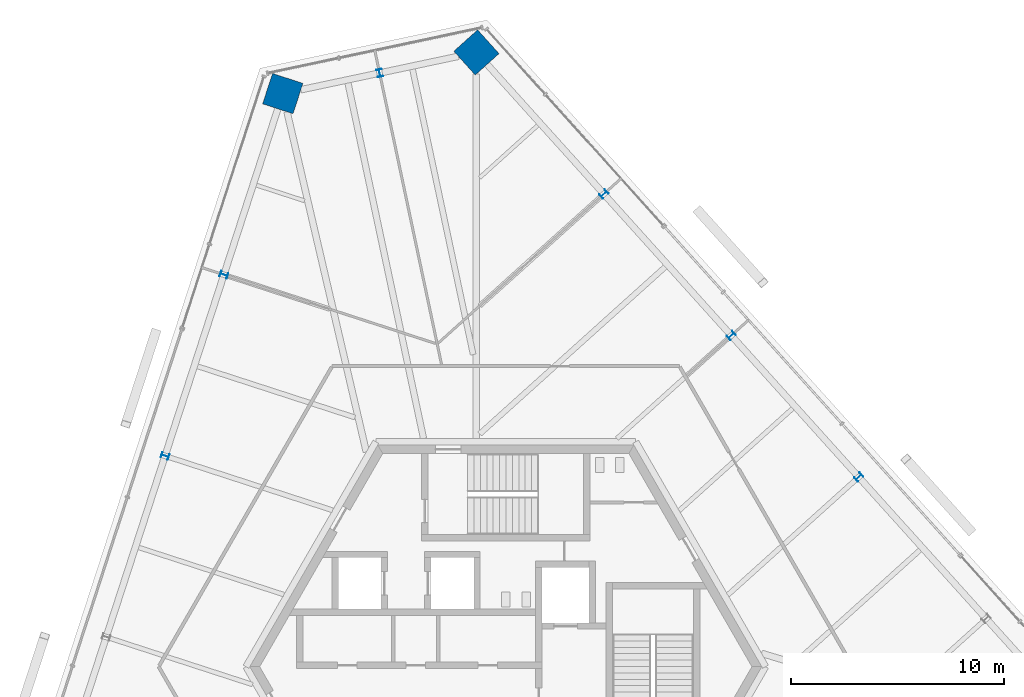
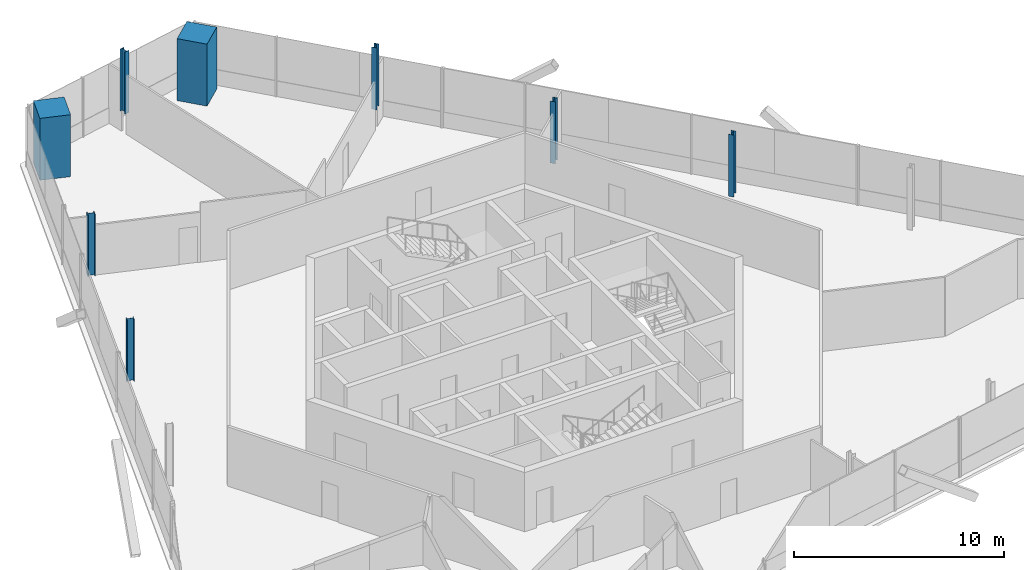
# One storey, part 3 of 15: 8 columns.
"""IFC4 building model written with IfcOpenShell, lengths in metres."""

from ifc_helpers import new_model, si_unit, direction, frame, origin, origin_2d, place, context, subcontext, project, spatial, rectangle, i_section, extrude, source, transform, mapped, material, material_profile, profile_set, type_object, element, save


model = new_model("IFC4")

# Units and contexts
model_context = context("Model", 3, precision=1e-05, world=origin(), true_north=direction((0.0, 1.0)))
body_context = subcontext(model_context, "Body", "Model", "MODEL_VIEW")
ifc_project = project(units=[si_unit("LENGTHUNIT", "METRE"), si_unit("AREAUNIT", "SQUARE_METRE"), si_unit("VOLUMEUNIT", "CUBIC_METRE"), si_unit("PLANEANGLEUNIT", "RADIAN"), si_unit("MASSUNIT", "GRAM", prefix="KILO")], contexts=[model_context])

# Site, building, storey
site_placement = place(None, origin())
site = spatial("IfcSite", under=ifc_project, at=site_placement, CompositionType="ELEMENT")
building_placement = place(site_placement, origin())
building = spatial("IfcBuilding", under=site, at=building_placement, Name="Triune Harvest Tower", CompositionType="ELEMENT")
storey_placement = place(building_placement, frame((0.0, 0.0, 270.300048828125)))
storey = spatial("IfcBuildingStorey", under=building, at=storey_placement, Name="L71", CompositionType="ELEMENT", Elevation=270.300048828125)

# Columns
ifc_material_1 = material(Name="Concrete 70 MPa", Category="concrete")
ifc_material_profile_1 = material_profile(ifc_material_1, rectangle(XDim=1.5, YDim=1.5, at=origin_2d()), Name="Composite 1500x1500")
ifc_profile_set_1 = profile_set([ifc_material_profile_1], Name="Concrete 70 MPa")
column_type_1 = type_object("IfcColumnType", Name="MC-7 Mega column Composite 1500x1500", PredefinedType="COLUMN", material=ifc_profile_set_1)
shared_shape_1 = source(origin(), body_context, "Body", "SweptSolid", [
    extrude(rectangle(XDim=1.5, YDim=1.5, at=origin_2d()), origin(), (0.0, 0.0, 1.0), 3.599853515625),
])
for number, where, z_axis, x_axis, name in (
    (1, (-1.376708984375, 28.794921875, 0.0), (0.0, 0.0, 1.0), (-0.669130606359, 0.743144825477, 0.0), "col/L71/M5"),
    (2, (-10.4541015625, 26.865478515625, 0.0), (0.0, 0.0, 1.0), (-0.309015334468, -0.95105705563, 0.0), "col/L71/M7"),
):
    element("IfcColumn", number, at=place(storey_placement, frame(where, z_axis=z_axis, x_axis=x_axis)), inside=storey, type_object=column_type_1, Name=name, PredefinedType="COLUMN", context=body_context, shape_type="MappedRepresentation", body=[
        mapped(shared_shape_1, transform((0.0, 0.0, 0.0), scale=1.0)),
    ])
ifc_material_2 = material(Name="Steel ASTM A992 Gr 50", Category="steel")
ifc_material_profile_2 = material_profile(ifc_material_2, i_section(OverallWidth=0.256591796875, OverallDepth=0.360595703125, WebThickness=0.011474609375, FlangeThickness=0.02001953125, at=origin_2d()), Name="W14x74")
ifc_profile_set_2 = profile_set([ifc_material_profile_2], Name="Steel ASTM A992 Gr 50")
column_type_2 = type_object("IfcColumnType", Name="PC-7 Perimeter column W14x74", PredefinedType="COLUMN", material=ifc_profile_set_2)
shared_shape_2 = source(origin(), body_context, "Body", "SweptSolid", [
    extrude(i_section(OverallWidth=0.256591796875, OverallDepth=0.360595703125, WebThickness=0.011474609375, FlangeThickness=0.02001953125, at=origin_2d()), origin(), (0.0, 0.0, 1.0), 3.599853515625),
])
for number, where, z_axis, x_axis, name in (
    (3, (16.545166015625, 8.890380859375, 0.0), (0.0, 0.0, 1.0), (-0.669130606359, 0.743144825477, 0.0), "col/L71/P2"),
    (4, (10.5712890625, 15.525146484375, 0.0), (0.0, 0.0, 1.0), (-0.669130606359, 0.743144825477, 0.0), "col/L71/P3"),
    (5, (-13.212890625, 18.37451171875, 0.0), (0.0, 0.0, 1.0), (-0.309015334468, -0.95105705563, 0.0), "col/L71/P8"),
    (6, (-15.971923828125, 9.88330078125, 0.0), (0.0, 0.0, 1.0), (-0.309015334468, -0.95105705563, 0.0), "col/L71/P9"),
):
    element("IfcColumn", number, at=place(storey_placement, frame(where, z_axis=z_axis, x_axis=x_axis)), inside=storey, type_object=column_type_2, Name=name, PredefinedType="COLUMN", context=body_context, shape_type="MappedRepresentation", body=[
        mapped(shared_shape_2, transform((0.0, 0.0, 0.0), scale=1.0)),
    ])
shared_shape_3 = source(origin(), body_context, "Body", "SweptSolid", [
    extrude(i_section(OverallWidth=0.256591796875, OverallDepth=0.360595703125, WebThickness=0.011474609375, FlangeThickness=0.02001953125, at=origin_2d()), origin(), (0.0, 0.0, 1.0), 3.60009765625),
])
for number, where, z_axis, x_axis, name in (
    (7, (4.59716796875, 22.159912109375, 1.199951171875), (0.0, 0.0, 1.0), (-0.669130606359, 0.743144825477, 0.0), "col/L71/P4"),
    (8, (-5.91552734375, 27.830078125, 1.199951171875), (0.0, 0.0, 1.0), (-0.978147600734, -0.207911690818, 0.0), "col/L71/P6"),
):
    element("IfcColumn", number, at=place(storey_placement, frame(where, z_axis=z_axis, x_axis=x_axis)), inside=storey, type_object=column_type_2, Name=name, PredefinedType="COLUMN", context=body_context, shape_type="MappedRepresentation", body=[
        mapped(shared_shape_3, transform((0.0, 0.0, 0.0), scale=1.0)),
    ])

save(model, "model.ifc")
